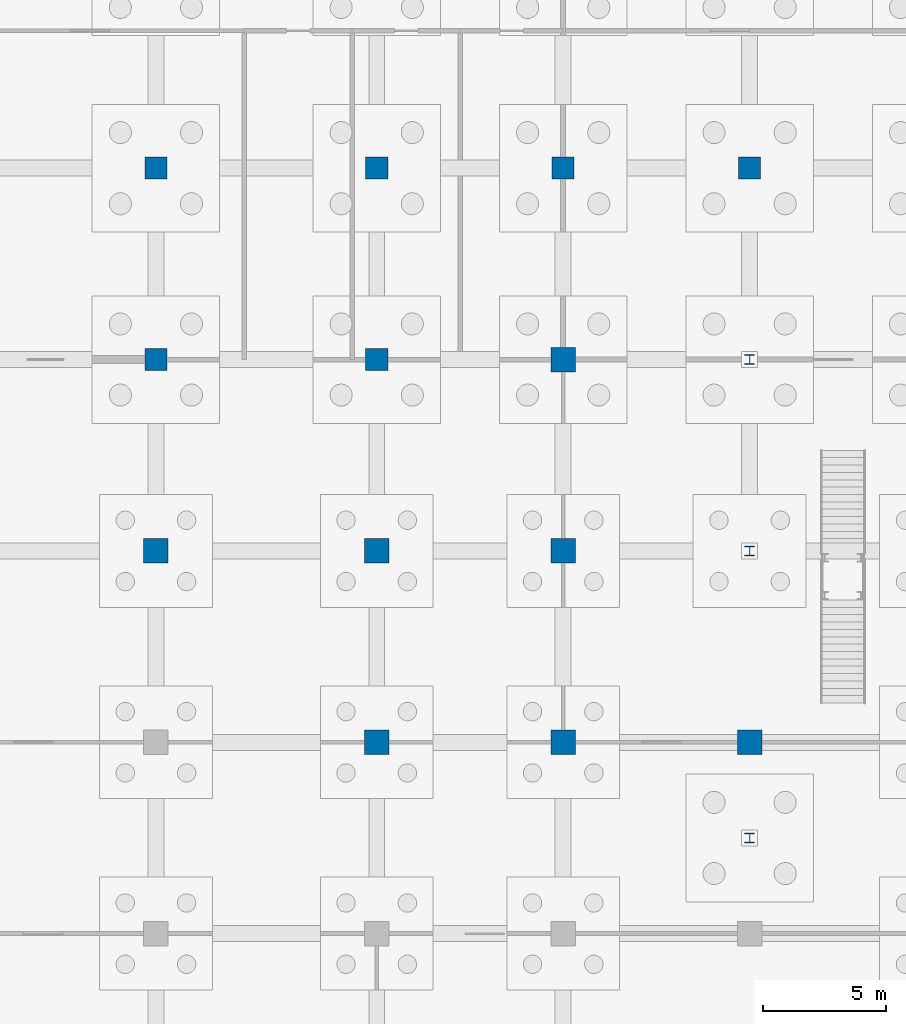
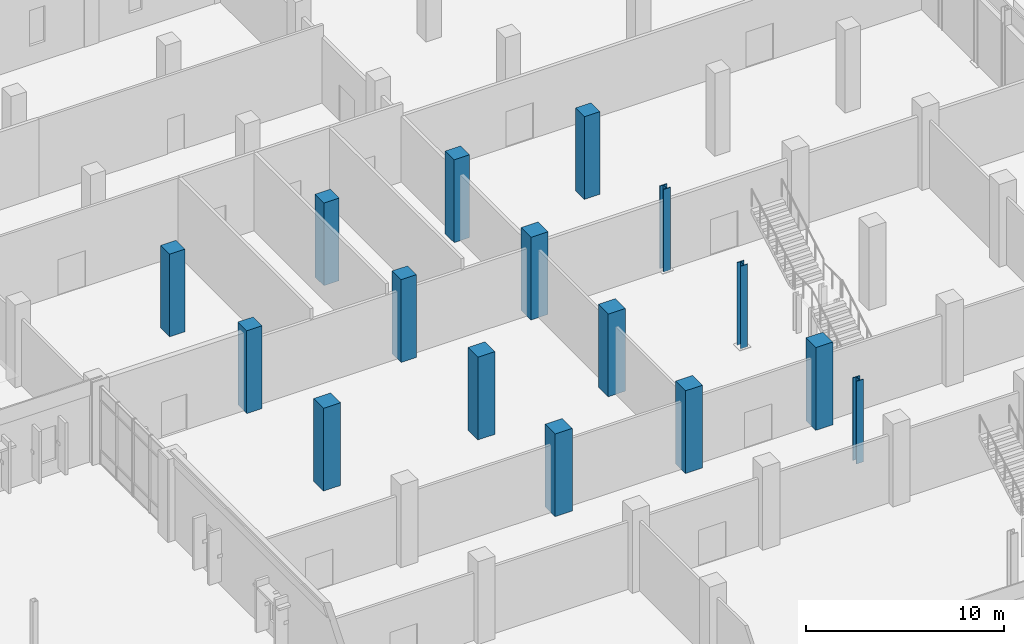
# One storey, part 27 of 94: 16 columns.
"""IFC4 building model written with IfcOpenShell, lengths in metres."""

from ifc_helpers import new_model, si_unit, direction, frame, origin, origin_2d, place, context, subcontext, project, spatial, rectangle, i_section, extrude, material, material_profile, profile_set, type_object, element, save


model = new_model("IFC4")

# Units and contexts
model_context = context("Model", 3, precision=1e-05, world=origin(), true_north=direction((0.0, 1.0)))
body_context = subcontext(model_context, "Body", "Model", "MODEL_VIEW")
ifc_project = project(units=[si_unit("LENGTHUNIT", "METRE"), si_unit("AREAUNIT", "SQUARE_METRE"), si_unit("VOLUMEUNIT", "CUBIC_METRE"), si_unit("PLANEANGLEUNIT", "RADIAN"), si_unit("MASSUNIT", "GRAM", prefix="KILO")], contexts=[model_context])

# Site, building, storey
site_placement = place(None, origin())
site = spatial("IfcSite", under=ifc_project, at=site_placement, CompositionType="ELEMENT")
building_placement = place(site_placement, origin())
building = spatial("IfcBuilding", under=site, at=building_placement, Name="Vervanel Yard Central Library", CompositionType="ELEMENT")
storey_placement = place(building_placement, origin())
storey = spatial("IfcBuildingStorey", under=building, at=storey_placement, Name="L00", CompositionType="ELEMENT", Elevation=0.0)

# Columns
ifc_material_1 = material(Name="Concrete C45/55", Category="concrete")
ifc_material_profile_1 = material_profile(ifc_material_1, rectangle(XDim=1.0, YDim=1.0, at=origin_2d()), Name="RC 1000x1000", Category="concrete")
ifc_profile_set_1 = profile_set([ifc_material_profile_1], Name="Concrete C45/55")
column_type_1 = type_object("IfcColumnType", Name="Concrete Column 1000x1000", PredefinedType="COLUMN", material=ifc_profile_set_1)
for number, where, z_axis, x_axis, name in (
    (1, (99.0, 74.39990234375, 0.0), (0.0, 0.0, 1.0), (1.0, 0.0, 0.0), "L00 Concrete Column 1000x1000 (99.0, 74.4)"),
    (2, (108.0, 66.60009765625, 0.0), (0.0, 0.0, 1.0), (1.0, 0.0, 0.0), "L00 Concrete Column 1000x1000 (108.0, 66.6)"),
    (3, (108.0, 74.39990234375, 0.0), (0.0, 0.0, 1.0), (1.0, 0.0, 0.0), "L00 Concrete Column 1000x1000 (108.0, 74.4)"),
    (4, (115.60009765625, 66.60009765625, 0.0), (0.0, 0.0, 1.0), (1.0, 0.0, 0.0), "L00 Concrete Column 1000x1000 (115.6, 66.6)"),
    (5, (115.60009765625, 74.39990234375, 0.0), (0.0, 0.0, 1.0), (1.0, 0.0, 0.0), "L00 Concrete Column 1000x1000 (115.6, 74.4)"),
    (6, (115.60009765625, 82.199951171875, 0.0), (0.0, 0.0, 1.0), (1.0, 0.0, 0.0), "L00 Concrete Column 1000x1000 (115.6, 82.2)"),
    (7, (123.199951171875, 66.60009765625, 0.0), (0.0, 0.0, 1.0), (1.0, 0.0, 0.0), "L00 Concrete Column 1000x1000 (123.2, 66.6)"),
):
    element("IfcColumn", number, at=place(storey_placement, frame(where, z_axis=z_axis, x_axis=x_axis)), inside=storey, type_object=column_type_1, Name=name, PredefinedType="COLUMN", context=body_context, shape_type="SweptSolid", body=[
        extrude(rectangle(XDim=1.0, YDim=1.0, at=origin_2d()), origin(), (0.0, 0.0, 1.0), 5.10009765625),
    ])
ifc_material_profile_2 = material_profile(ifc_material_1, rectangle(XDim=0.89990234375, YDim=0.89990234375, at=origin_2d()), Name="RC 900x900", Category="concrete")
ifc_profile_set_2 = profile_set([ifc_material_profile_2], Name="Concrete C45/55")
column_type_2 = type_object("IfcColumnType", Name="Concrete Column 900x900", PredefinedType="COLUMN", material=ifc_profile_set_2)
for number, where, z_axis, x_axis, name in (
    (8, (99.0, 82.199951171875, 0.0), (0.0, 0.0, 1.0), (1.0, 0.0, 0.0), "L00 Concrete Column 900x900 (99.0, 82.2)"),
    (9, (99.0, 90.0, 0.0), (0.0, 0.0, 1.0), (1.0, 0.0, 0.0), "L00 Concrete Column 900x900 (99.0, 90.0)"),
    (10, (108.0, 82.199951171875, 0.0), (0.0, 0.0, 1.0), (1.0, 0.0, 0.0), "L00 Concrete Column 900x900 (108.0, 82.2)"),
    (11, (108.0, 90.0, 0.0), (0.0, 0.0, 1.0), (1.0, 0.0, 0.0), "L00 Concrete Column 900x900 (108.0, 90.0)"),
    (12, (115.60009765625, 90.0, 0.0), (0.0, 0.0, 1.0), (1.0, 0.0, 0.0), "L00 Concrete Column 900x900 (115.6, 90.0)"),
    (13, (123.199951171875, 90.0, 0.0), (0.0, 0.0, 1.0), (1.0, 0.0, 0.0), "L00 Concrete Column 900x900 (123.2, 90.0)"),
):
    element("IfcColumn", number, at=place(storey_placement, frame(where, z_axis=z_axis, x_axis=x_axis)), inside=storey, type_object=column_type_2, Name=name, PredefinedType="COLUMN", context=body_context, shape_type="SweptSolid", body=[
        extrude(rectangle(XDim=0.89990234375, YDim=0.89990234375, at=origin_2d()), origin(), (0.0, 0.0, 1.0), 5.10009765625),
    ])
ifc_material_2 = material(Name="Steel ASTM A992 Grade 50", Category="steel")
ifc_material_profile_3 = material_profile(ifc_material_2, i_section(OverallWidth=0.4013671875, OverallDepth=0.398681640625, WebThickness=0.02490234375, FlangeThickness=0.03955078125, at=origin_2d()), Name="W14X211", Category="steel")
ifc_profile_set_3 = profile_set([ifc_material_profile_3], Name="Steel ASTM A992 Grade 50")
column_type_3 = type_object("IfcColumnType", Name="Steel Tie-Down Column W14X211", PredefinedType="COLUMN", material=ifc_profile_set_3)
for number, where, z_axis, x_axis, name in (
    (14, (123.199951171875, 74.39990234375, 0.0), (0.0, 0.0, 1.0), (1.0, 0.0, 0.0), "L00 Steel Tie-Down Column W14X211 (123.2, 74.4)"),
    (15, (123.199951171875, 82.199951171875, 0.0), (0.0, 0.0, 1.0), (1.0, 0.0, 0.0), "L00 Steel Tie-Down Column W14X211 (123.2, 82.2)"),
    (16, (123.199951171875, 62.699951171875, 0.0), (0.0, 0.0, 1.0), (1.0, 0.0, 0.0), "L00 Prow Truss N Post (123.2, 62.7)"),
):
    element("IfcColumn", number, at=place(storey_placement, frame(where, z_axis=z_axis, x_axis=x_axis)), inside=storey, type_object=column_type_3, Name=name, PredefinedType="COLUMN", context=body_context, shape_type="SweptSolid", body=[
        extrude(i_section(OverallWidth=0.4013671875, OverallDepth=0.398681640625, WebThickness=0.02490234375, FlangeThickness=0.03955078125, at=origin_2d()), origin(), (0.0, 0.0, 1.0), 5.10009765625),
    ])

save(model, "model.ifc")
